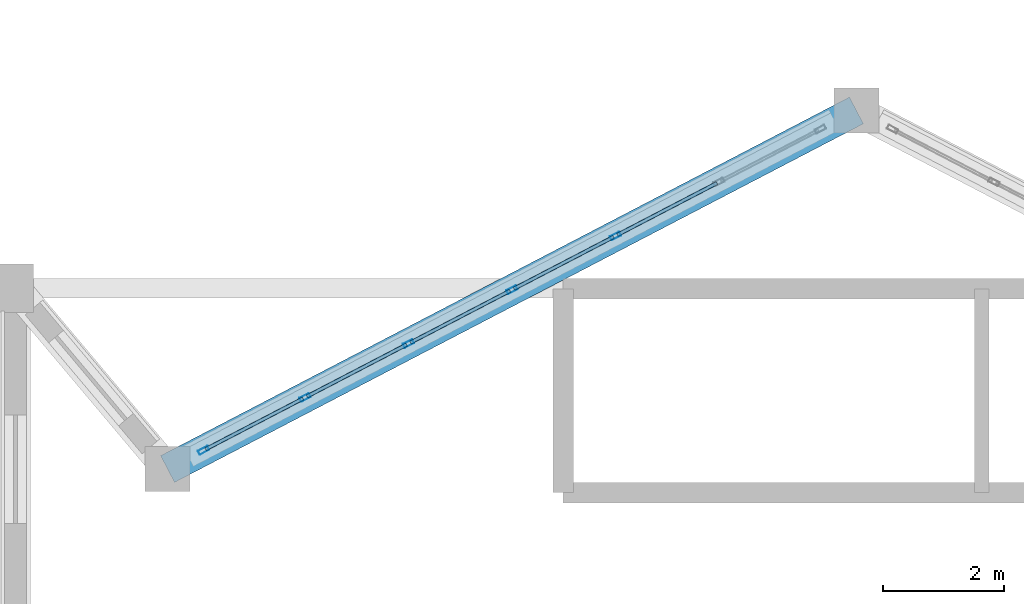
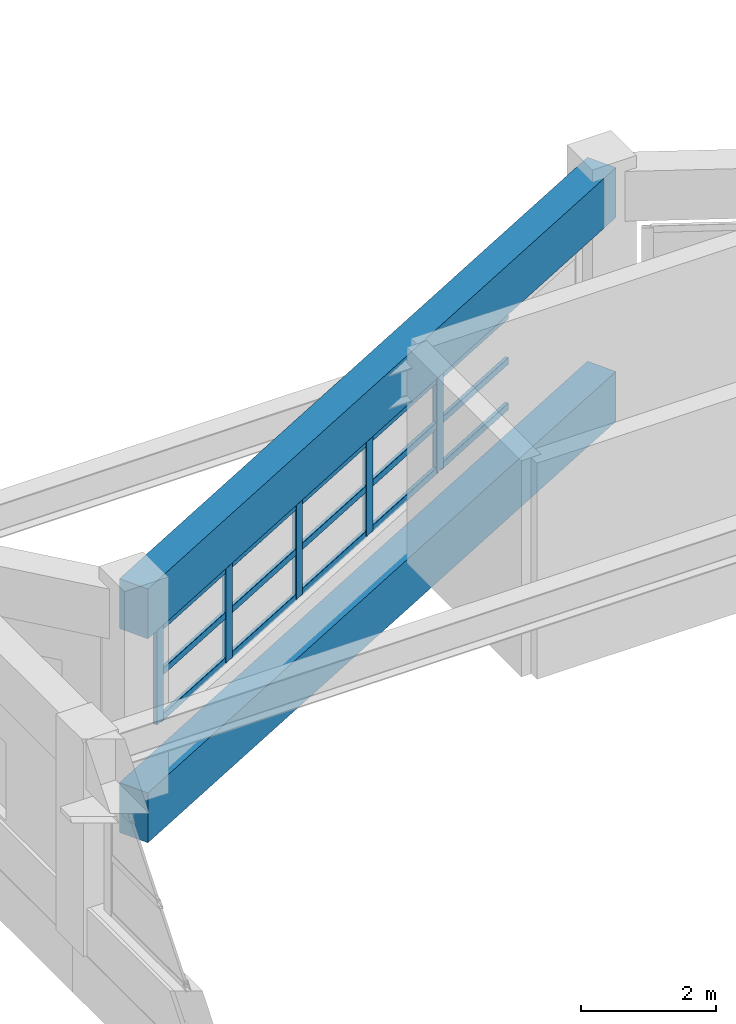
# One storey, part 22 of 108: 20 members, 2 beams, 1 element without a shape of its own.
"""IFC4 building model written with IfcOpenShell, lengths in metres."""

from ifc_helpers import new_model, si_unit, direction, frame, origin, origin_2d, place, context, subcontext, project, spatial, rectangle, hollow_rectangle, extrude, material, layer, layer_set, material_profile, profile_set, type_object, element, aggregate, save


model = new_model("IFC4")

# Units and contexts
model_context = context("Model", 3, precision=1e-05, world=origin(), true_north=direction((0.0, 1.0)))
body_context = subcontext(model_context, "Body", "Model", "MODEL_VIEW")
ifc_project = project(units=[si_unit("LENGTHUNIT", "METRE"), si_unit("AREAUNIT", "SQUARE_METRE"), si_unit("VOLUMEUNIT", "CUBIC_METRE"), si_unit("PLANEANGLEUNIT", "RADIAN"), si_unit("MASSUNIT", "GRAM", prefix="KILO")], contexts=[model_context])

# Site, building, storey
site_placement = place(None, origin())
site = spatial("IfcSite", under=ifc_project, at=site_placement, CompositionType="ELEMENT")
building_placement = place(site_placement, origin())
building = spatial("IfcBuilding", under=site, at=building_placement, Name="Vespera Passage Community Centre", CompositionType="ELEMENT")
storey_placement = place(building_placement, frame((0.0, 0.0, 12.60009765625)))
storey = spatial("IfcBuildingStorey", under=building, at=storey_placement, Name="L03", CompositionType="ELEMENT", Elevation=12.60009765625)

# Beams
ifc_material_1 = material(Name="Concrete f'c 45 MPa", Category="concrete")
ifc_material_profile_1 = material_profile(ifc_material_1, rectangle(XDim=0.5, YDim=0.89990234375, at=origin_2d()), Name="RC500X900")
ifc_profile_set_1 = profile_set([ifc_material_profile_1], Name="Concrete f'c 45 MPa")
beam_type = type_object("IfcBeamType", Name="BM-SP-500X900E", PredefinedType="SPANDREL", material=ifc_profile_set_1)
for number, where, z_axis, x_axis, name in (
    (1, (18.0, 51.949951171875, 3.22998046875), (-0.887015966554, -0.461738751978, 0.0), (0.461738751978, -0.887015966554, 0.0), "V1 N Apse Roof Edge Beam 3"),
    (2, (18.0, 51.949951171875, -0.4501953125), (-0.887015966554, -0.461738751978, 0.0), (0.461738751978, -0.887015966554, 0.0), "V1 L03 N Apse Spandrel 3"),
):
    element("IfcBeam", number, at=place(storey_placement, frame(where, z_axis=z_axis, x_axis=x_axis)), inside=storey, type_object=beam_type, Name=name, PredefinedType="SPANDREL", context=body_context, shape_type="SweptSolid", body=[
        extrude(rectangle(XDim=0.5, YDim=0.89990234375, at=origin_2d()), origin(), (0.0, 0.0, 1.0), 12.8828125),
    ])

# Curtain wall, members
ifc_material_2 = material(Name="Anodized aluminium 6063-T6", Category="aluminium")
ifc_layer = layer(ifc_material_2, 0.159912109375)
ifc_layer_set = layer_set([ifc_layer], Name="Anodized aluminium 6063-T6")
curtain_wall_type = type_object("IfcCurtainWallType", Name="CW-88E", PredefinedType="NOTDEFINED", material=ifc_layer_set)
curtain_wall_placement = place(storey_placement, origin())
curtain_wall = element("IfcCurtainWall", 3, at=curtain_wall_placement, inside=storey, type_object=curtain_wall_type, Name="V1 L03 N Apse Ribbon Curtain Wall 2", PredefinedType="NOTDEFINED")
ifc_material_3 = material(Name="Anodized aluminium 6063-T6", Category="aluminium")
ifc_material_profile_2 = material_profile(ifc_material_3, hollow_rectangle(XDim=0.074951171875, YDim=0.179931640625, WallThickness=0.0048828125, InnerFilletRadius=0.00244140625, OuterFilletRadius=0.0048828125, at=origin_2d()), Name="ALU180X75X5")
ifc_profile_set_2 = profile_set([ifc_material_profile_2], Name="Anodized aluminium 6063-T6")
member_type_1 = type_object("IfcMemberType", Name="MB-CWM-180E", PredefinedType="MULLION", material=ifc_profile_set_2)
member_1_placement = place(storey_placement, frame((7.171875, 46.313232421875, 0.7998046875), z_axis=(0.0, 0.0, 1.0), x_axis=(-0.46174493668, 0.887012747062, 0.0)))
member_1 = element("IfcMember", 4, at=member_1_placement, type_object=member_type_1, Name="CW-88E mullion 1", PredefinedType="MULLION", context=body_context, shape_type="SweptSolid", body=[
    extrude(hollow_rectangle(XDim=0.074951171875, YDim=0.179931640625, WallThickness=0.0048828125, InnerFilletRadius=0.00244140625, OuterFilletRadius=0.0048828125, at=origin_2d()), origin(), (0.0, 0.0, 1.0), 1.7001953125),
])
member_2_placement = place(storey_placement, frame((8.8544921875, 47.189208984375, 0.7998046875), z_axis=(0.0, 0.0, 1.0), x_axis=(-0.46174493668, 0.887012747062, 0.0)))
member_2 = element("IfcMember", 5, at=member_2_placement, type_object=member_type_1, Name="CW-88E mullion 2", PredefinedType="MULLION", context=body_context, shape_type="SweptSolid", body=[
    extrude(hollow_rectangle(XDim=0.074951171875, YDim=0.179931640625, WallThickness=0.0048828125, InnerFilletRadius=0.00244140625, OuterFilletRadius=0.0048828125, at=origin_2d()), origin(), (0.0, 0.0, 1.0), 1.7001953125),
])
member_3_placement = place(storey_placement, frame((10.5703125, 48.08251953125, 0.7998046875), z_axis=(0.0, 0.0, 1.0), x_axis=(-0.46174493668, 0.887012747062, 0.0)))
member_3 = element("IfcMember", 6, at=member_3_placement, type_object=member_type_1, Name="CW-88E mullion 3", PredefinedType="MULLION", context=body_context, shape_type="SweptSolid", body=[
    extrude(hollow_rectangle(XDim=0.074951171875, YDim=0.179931640625, WallThickness=0.0048828125, InnerFilletRadius=0.00244140625, OuterFilletRadius=0.0048828125, at=origin_2d()), origin(), (0.0, 0.0, 1.0), 1.7001953125),
])
member_4_placement = place(storey_placement, frame((12.286376953125, 48.9755859375, 0.7998046875), z_axis=(0.0, 0.0, 1.0), x_axis=(-0.46174493668, 0.887012747062, 0.0)))
member_4 = element("IfcMember", 7, at=member_4_placement, type_object=member_type_1, Name="CW-88E mullion 4", PredefinedType="MULLION", context=body_context, shape_type="SweptSolid", body=[
    extrude(hollow_rectangle(XDim=0.074951171875, YDim=0.179931640625, WallThickness=0.0048828125, InnerFilletRadius=0.00244140625, OuterFilletRadius=0.0048828125, at=origin_2d()), origin(), (0.0, 0.0, 1.0), 1.7001953125),
])
member_5_placement = place(storey_placement, frame((14.00244140625, 49.868896484375, 0.7998046875), z_axis=(0.0, 0.0, 1.0), x_axis=(-0.46174493668, 0.887012747062, 0.0)))
member_5 = element("IfcMember", 8, at=member_5_placement, type_object=member_type_1, Name="CW-88E mullion 5", PredefinedType="MULLION", context=body_context, shape_type="SweptSolid", body=[
    extrude(hollow_rectangle(XDim=0.074951171875, YDim=0.179931640625, WallThickness=0.0048828125, InnerFilletRadius=0.00244140625, OuterFilletRadius=0.0048828125, at=origin_2d()), origin(), (0.0, 0.0, 1.0), 1.7001953125),
])
ifc_material_4 = material(Name="Anodized aluminium 6063-T6", Category="aluminium")
ifc_material_profile_3 = material_profile(ifc_material_4, hollow_rectangle(XDim=0.06005859375, YDim=0.1201171875, WallThickness=0.00390625, InnerFilletRadius=0.001953125, OuterFilletRadius=0.00390625, at=origin_2d()), Name="ALU120X60X4")
ifc_profile_set_3 = profile_set([ifc_material_profile_3], Name="Anodized aluminium 6063-T6")
member_type_2 = type_object("IfcMemberType", Name="MB-CWT-120E", PredefinedType="USERDEFINED", material=ifc_profile_set_3)
member_6_placement = place(storey_placement, frame((7.205078125, 46.33056640625, 0.829833984375), z_axis=(0.887019277583, 0.461732391322, 0.0), x_axis=(-0.461732391322, 0.887019277583, 0.0)))
member_6 = element("IfcMember", 9, at=member_6_placement, type_object=member_type_2, Name="CW-88E transom 1.1", ObjectType="TRANSOM", PredefinedType="USERDEFINED", context=body_context, shape_type="SweptSolid", body=[
    extrude(hollow_rectangle(XDim=0.06005859375, YDim=0.1201171875, WallThickness=0.00390625, InnerFilletRadius=0.001953125, OuterFilletRadius=0.00390625, at=origin_2d()), origin(), (0.0, 0.0, 1.0), 1.822021484375),
])
member_7_placement = place(storey_placement, frame((7.205078125, 46.33056640625, 1.64990234375), z_axis=(0.887019277583, 0.461732391322, 0.0), x_axis=(-0.461732391322, 0.887019277583, 0.0)))
member_7 = element("IfcMember", 10, at=member_7_placement, type_object=member_type_2, Name="CW-88E transom 1.2", ObjectType="TRANSOM", PredefinedType="USERDEFINED", context=body_context, shape_type="SweptSolid", body=[
    extrude(hollow_rectangle(XDim=0.06005859375, YDim=0.1201171875, WallThickness=0.00390625, InnerFilletRadius=0.001953125, OuterFilletRadius=0.00390625, at=origin_2d()), origin(), (0.0, 0.0, 1.0), 1.822021484375),
])
member_8_placement = place(storey_placement, frame((7.205078125, 46.33056640625, 2.469970703125), z_axis=(0.887019277583, 0.461732391322, 0.0), x_axis=(-0.461732391322, 0.887019277583, 0.0)))
member_8 = element("IfcMember", 11, at=member_8_placement, type_object=member_type_2, Name="CW-88E transom 1.3", ObjectType="TRANSOM", PredefinedType="USERDEFINED", context=body_context, shape_type="SweptSolid", body=[
    extrude(hollow_rectangle(XDim=0.06005859375, YDim=0.1201171875, WallThickness=0.00390625, InnerFilletRadius=0.001953125, OuterFilletRadius=0.00390625, at=origin_2d()), origin(), (0.0, 0.0, 1.0), 1.822021484375),
])
member_9_placement = place(storey_placement, frame((8.8876953125, 47.20654296875, 0.829833984375), z_axis=(0.887008197889, 0.461753675544, 0.0), x_axis=(-0.461753675544, 0.887008197889, 0.0)))
member_9 = element("IfcMember", 12, at=member_9_placement, type_object=member_type_2, Name="CW-88E transom 2.1", ObjectType="TRANSOM", PredefinedType="USERDEFINED", context=body_context, shape_type="SweptSolid", body=[
    extrude(hollow_rectangle(XDim=0.06005859375, YDim=0.1201171875, WallThickness=0.00390625, InnerFilletRadius=0.001953125, OuterFilletRadius=0.00390625, at=origin_2d()), origin(), (0.0, 0.0, 1.0), 1.859619140625),
])
member_10_placement = place(storey_placement, frame((8.8876953125, 47.20654296875, 1.64990234375), z_axis=(0.887008197889, 0.461753675544, 0.0), x_axis=(-0.461753675544, 0.887008197889, 0.0)))
member_10 = element("IfcMember", 13, at=member_10_placement, type_object=member_type_2, Name="CW-88E transom 2.2", ObjectType="TRANSOM", PredefinedType="USERDEFINED", context=body_context, shape_type="SweptSolid", body=[
    extrude(hollow_rectangle(XDim=0.06005859375, YDim=0.1201171875, WallThickness=0.00390625, InnerFilletRadius=0.001953125, OuterFilletRadius=0.00390625, at=origin_2d()), origin(), (0.0, 0.0, 1.0), 1.859619140625),
])
member_11_placement = place(storey_placement, frame((8.8876953125, 47.20654296875, 2.469970703125), z_axis=(0.887008197889, 0.461753675544, 0.0), x_axis=(-0.461753675544, 0.887008197889, 0.0)))
member_11 = element("IfcMember", 14, at=member_11_placement, type_object=member_type_2, Name="CW-88E transom 2.3", ObjectType="TRANSOM", PredefinedType="USERDEFINED", context=body_context, shape_type="SweptSolid", body=[
    extrude(hollow_rectangle(XDim=0.06005859375, YDim=0.1201171875, WallThickness=0.00390625, InnerFilletRadius=0.001953125, OuterFilletRadius=0.00390625, at=origin_2d()), origin(), (0.0, 0.0, 1.0), 1.859619140625),
])
member_12_placement = place(storey_placement, frame((10.603759765625, 48.099853515625, 0.829833984375), z_axis=(0.887008197889, 0.461753675544, 0.0), x_axis=(-0.461753675544, 0.887008197889, 0.0)))
member_12 = element("IfcMember", 15, at=member_12_placement, type_object=member_type_2, Name="CW-88E transom 3.1", ObjectType="TRANSOM", PredefinedType="USERDEFINED", context=body_context, shape_type="SweptSolid", body=[
    extrude(hollow_rectangle(XDim=0.06005859375, YDim=0.1201171875, WallThickness=0.00390625, InnerFilletRadius=0.001953125, OuterFilletRadius=0.00390625, at=origin_2d()), origin(), (0.0, 0.0, 1.0), 1.859619140625),
])
member_13_placement = place(storey_placement, frame((10.603759765625, 48.099853515625, 1.64990234375), z_axis=(0.887008197889, 0.461753675544, 0.0), x_axis=(-0.461753675544, 0.887008197889, 0.0)))
member_13 = element("IfcMember", 16, at=member_13_placement, type_object=member_type_2, Name="CW-88E transom 3.2", ObjectType="TRANSOM", PredefinedType="USERDEFINED", context=body_context, shape_type="SweptSolid", body=[
    extrude(hollow_rectangle(XDim=0.06005859375, YDim=0.1201171875, WallThickness=0.00390625, InnerFilletRadius=0.001953125, OuterFilletRadius=0.00390625, at=origin_2d()), origin(), (0.0, 0.0, 1.0), 1.859619140625),
])
member_14_placement = place(storey_placement, frame((10.603759765625, 48.099853515625, 2.469970703125), z_axis=(0.887008197889, 0.461753675544, 0.0), x_axis=(-0.461753675544, 0.887008197889, 0.0)))
member_14 = element("IfcMember", 17, at=member_14_placement, type_object=member_type_2, Name="CW-88E transom 3.3", ObjectType="TRANSOM", PredefinedType="USERDEFINED", context=body_context, shape_type="SweptSolid", body=[
    extrude(hollow_rectangle(XDim=0.06005859375, YDim=0.1201171875, WallThickness=0.00390625, InnerFilletRadius=0.001953125, OuterFilletRadius=0.00390625, at=origin_2d()), origin(), (0.0, 0.0, 1.0), 1.859619140625),
])
member_15_placement = place(storey_placement, frame((12.319580078125, 48.992919921875, 0.829833984375), z_axis=(0.887008197889, 0.461753675544, 0.0), x_axis=(-0.461753675544, 0.887008197889, 0.0)))
member_15 = element("IfcMember", 18, at=member_15_placement, type_object=member_type_2, Name="CW-88E transom 4.1", ObjectType="TRANSOM", PredefinedType="USERDEFINED", context=body_context, shape_type="SweptSolid", body=[
    extrude(hollow_rectangle(XDim=0.06005859375, YDim=0.1201171875, WallThickness=0.00390625, InnerFilletRadius=0.001953125, OuterFilletRadius=0.00390625, at=origin_2d()), origin(), (0.0, 0.0, 1.0), 1.859619140625),
])
member_16_placement = place(storey_placement, frame((12.319580078125, 48.992919921875, 1.64990234375), z_axis=(0.887008197889, 0.461753675544, 0.0), x_axis=(-0.461753675544, 0.887008197889, 0.0)))
member_16 = element("IfcMember", 19, at=member_16_placement, type_object=member_type_2, Name="CW-88E transom 4.2", ObjectType="TRANSOM", PredefinedType="USERDEFINED", context=body_context, shape_type="SweptSolid", body=[
    extrude(hollow_rectangle(XDim=0.06005859375, YDim=0.1201171875, WallThickness=0.00390625, InnerFilletRadius=0.001953125, OuterFilletRadius=0.00390625, at=origin_2d()), origin(), (0.0, 0.0, 1.0), 1.859619140625),
])
member_17_placement = place(storey_placement, frame((12.319580078125, 48.992919921875, 2.469970703125), z_axis=(0.887008197889, 0.461753675544, 0.0), x_axis=(-0.461753675544, 0.887008197889, 0.0)))
member_17 = element("IfcMember", 20, at=member_17_placement, type_object=member_type_2, Name="CW-88E transom 4.3", ObjectType="TRANSOM", PredefinedType="USERDEFINED", context=body_context, shape_type="SweptSolid", body=[
    extrude(hollow_rectangle(XDim=0.06005859375, YDim=0.1201171875, WallThickness=0.00390625, InnerFilletRadius=0.001953125, OuterFilletRadius=0.00390625, at=origin_2d()), origin(), (0.0, 0.0, 1.0), 1.859619140625),
])
member_18_placement = place(storey_placement, frame((14.03564453125, 49.88623046875, 0.829833984375), z_axis=(0.887008197889, 0.461753675544, 0.0), x_axis=(-0.461753675544, 0.887008197889, 0.0)))
member_18 = element("IfcMember", 21, at=member_18_placement, type_object=member_type_2, Name="CW-88E transom 5.1", ObjectType="TRANSOM", PredefinedType="USERDEFINED", context=body_context, shape_type="SweptSolid", body=[
    extrude(hollow_rectangle(XDim=0.06005859375, YDim=0.1201171875, WallThickness=0.00390625, InnerFilletRadius=0.001953125, OuterFilletRadius=0.00390625, at=origin_2d()), origin(), (0.0, 0.0, 1.0), 1.859619140625),
])
member_19_placement = place(storey_placement, frame((14.03564453125, 49.88623046875, 1.64990234375), z_axis=(0.887008197889, 0.461753675544, 0.0), x_axis=(-0.461753675544, 0.887008197889, 0.0)))
member_19 = element("IfcMember", 22, at=member_19_placement, type_object=member_type_2, Name="CW-88E transom 5.2", ObjectType="TRANSOM", PredefinedType="USERDEFINED", context=body_context, shape_type="SweptSolid", body=[
    extrude(hollow_rectangle(XDim=0.06005859375, YDim=0.1201171875, WallThickness=0.00390625, InnerFilletRadius=0.001953125, OuterFilletRadius=0.00390625, at=origin_2d()), origin(), (0.0, 0.0, 1.0), 1.859619140625),
])
member_20_placement = place(storey_placement, frame((14.03564453125, 49.88623046875, 2.469970703125), z_axis=(0.887008197889, 0.461753675544, 0.0), x_axis=(-0.461753675544, 0.887008197889, 0.0)))
member_20 = element("IfcMember", 23, at=member_20_placement, type_object=member_type_2, Name="CW-88E transom 5.3", ObjectType="TRANSOM", PredefinedType="USERDEFINED", context=body_context, shape_type="SweptSolid", body=[
    extrude(hollow_rectangle(XDim=0.06005859375, YDim=0.1201171875, WallThickness=0.00390625, InnerFilletRadius=0.001953125, OuterFilletRadius=0.00390625, at=origin_2d()), origin(), (0.0, 0.0, 1.0), 1.859619140625),
])
aggregate(curtain_wall, [member_1, member_2, member_3, member_4, member_5, member_6, member_7, member_8, member_9, member_10, member_11, member_12, member_13, member_14, member_15, member_16, member_17, member_18, member_19, member_20])

save(model, "model.ifc")
